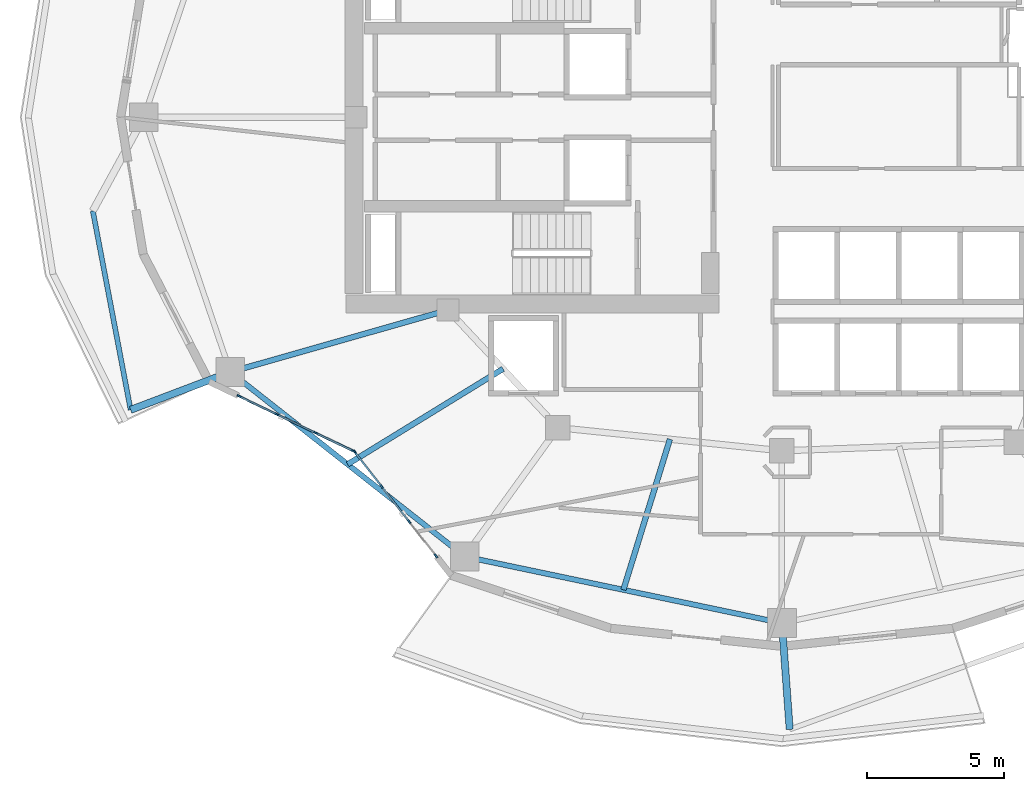
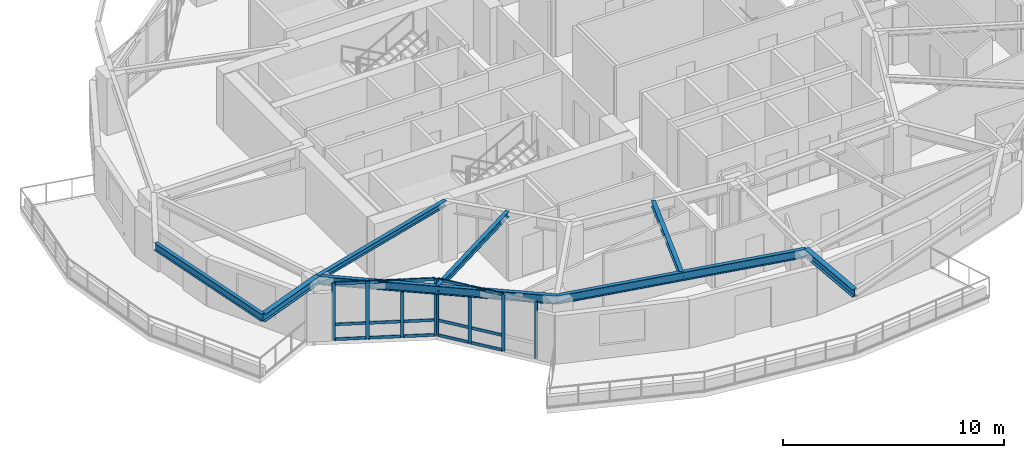
# One storey, part 2 of 18: 23 members, 8 beams, 2 elements without a shape of their own.
"""IFC4 building model written with IfcOpenShell, lengths in metres."""

from ifc_helpers import new_model, si_unit, direction, frame, origin, origin_2d, place, context, subcontext, project, spatial, rectangle, i_section, extrude, material, layer, layer_set, material_profile, profile_set, type_object, element, aggregate, save


model = new_model("IFC4")

# Units and contexts
model_context = context("Model", 3, precision=1e-05, world=origin(), true_north=direction((0.0, 1.0)))
body_context = subcontext(model_context, "Body", "Model", "MODEL_VIEW")
ifc_project = project(units=[si_unit("LENGTHUNIT", "METRE"), si_unit("AREAUNIT", "SQUARE_METRE"), si_unit("VOLUMEUNIT", "CUBIC_METRE"), si_unit("PLANEANGLEUNIT", "RADIAN"), si_unit("MASSUNIT", "GRAM", prefix="KILO")], contexts=[model_context])

# Site, building, storey
site_placement = place(None, origin())
site = spatial("IfcSite", under=ifc_project, at=site_placement, CompositionType="ELEMENT")
building_placement = place(site_placement, origin())
building = spatial("IfcBuilding", under=site, at=building_placement, Name="Kolvaren Gate Tower and Convention Centre", CompositionType="ELEMENT")
storey_placement = place(building_placement, frame((0.0, 0.0, 115.5)))
storey = spatial("IfcBuildingStorey", under=building, at=storey_placement, Name="L28", CompositionType="ELEMENT", Elevation=115.5)

# Curtain wall, members
ifc_material_1 = material(Name="Anodized Architectural Aluminium Alloy 6063-T6", Category="aluminium")
ifc_layer = layer(ifc_material_1, 0.159912109375)
ifc_layer_set = layer_set([ifc_layer], Name="Anodized Architectural Aluminium Alloy 6063-T6")
curtain_wall_type = type_object("IfcCurtainWallType", Name="CW-HTL-UNIT", PredefinedType="NOTDEFINED", material=ifc_layer_set)
curtain_wall_1_placement = place(storey_placement, origin())
curtain_wall_1 = element("IfcCurtainWall", 1, at=curtain_wall_1_placement, inside=storey, type_object=curtain_wall_type, Name="Tower L28 Unitised Curtain Wall CW-HTL-UNIT Bay 14", PredefinedType="NOTDEFINED")
ifc_material_profile_1 = material_profile(ifc_material_1, rectangle(XDim=0.06494140625, YDim=0.159912109375, at=origin_2d()), Name="CW-MEM-MUL-160")
ifc_profile_set_1 = profile_set([ifc_material_profile_1], Name="Anodized Architectural Aluminium Alloy 6063-T6")
member_type_1 = type_object("IfcMemberType", Name="CW-MEM-MUL-160", PredefinedType="MULLION", material=ifc_profile_set_1)
member_1_placement = place(storey_placement, frame((10.271728515625, 16.799560546875, 0.0), z_axis=(0.0, 0.0, 1.0), x_axis=(0.43307254033, 0.901359070966, 0.0)))
member_1 = element("IfcMember", 2, at=member_1_placement, type_object=member_type_1, Name="CW-03 mullion 1", PredefinedType="MULLION", context=body_context, shape_type="SweptSolid", body=[
    extrude(rectangle(XDim=0.06494140625, YDim=0.159912109375, at=origin_2d()), origin(), (0.0, 0.0, 1.0), 3.1298828125),
])
member_2_placement = place(storey_placement, frame((11.655517578125, 16.134765625, 0.0), z_axis=(0.0, 0.0, 1.0), x_axis=(0.43307254033, 0.901359070966, 0.0)))
member_2 = element("IfcMember", 3, at=member_2_placement, type_object=member_type_1, Name="CW-03 mullion 2", PredefinedType="MULLION", context=body_context, shape_type="SweptSolid", body=[
    extrude(rectangle(XDim=0.06494140625, YDim=0.159912109375, at=origin_2d()), origin(), (0.0, 0.0, 1.0), 3.1298828125),
])
member_3_placement = place(storey_placement, frame((13.068359375, 15.455810546875, 0.0), z_axis=(0.0, 0.0, 1.0), x_axis=(0.43307254033, 0.901359070966, 0.0)))
member_3 = element("IfcMember", 4, at=member_3_placement, type_object=member_type_1, Name="CW-03 mullion 3", PredefinedType="MULLION", context=body_context, shape_type="SweptSolid", body=[
    extrude(rectangle(XDim=0.06494140625, YDim=0.159912109375, at=origin_2d()), origin(), (0.0, 0.0, 1.0), 3.1298828125),
])
member_4_placement = place(storey_placement, frame((14.451904296875, 14.791015625, 0.0), z_axis=(0.0, 0.0, 1.0), x_axis=(0.43307254033, 0.901359070966, 0.0)))
member_4 = element("IfcMember", 5, at=member_4_placement, type_object=member_type_1, Name="CW-03 mullion 4", PredefinedType="MULLION", context=body_context, shape_type="SweptSolid", body=[
    extrude(rectangle(XDim=0.06494140625, YDim=0.159912109375, at=origin_2d()), origin(), (0.0, 0.0, 1.0), 3.1298828125),
])

curtain_wall_2_placement = place(storey_placement, origin())
curtain_wall_2 = element("IfcCurtainWall", 6, at=curtain_wall_2_placement, inside=storey, type_object=curtain_wall_type, Name="Tower L28 Unitised Curtain Wall CW-HTL-UNIT Bay 15", PredefinedType="NOTDEFINED")
member_5_placement = place(storey_placement, frame((14.501220703125, 14.75146484375, 0.0), z_axis=(0.0, 0.0, 1.0), x_axis=(0.787410781966, 0.616428633699, 0.0)))
member_5 = element("IfcMember", 7, at=member_5_placement, type_object=member_type_1, Name="CW-03 mullion 1", PredefinedType="MULLION", context=body_context, shape_type="SweptSolid", body=[
    extrude(rectangle(XDim=0.06494140625, YDim=0.159912109375, at=origin_2d()), origin(), (0.0, 0.0, 1.0), 3.1298828125),
])
member_6_placement = place(storey_placement, frame((15.484619140625, 13.495361328125, 0.0), z_axis=(0.0, 0.0, 1.0), x_axis=(0.787410781966, 0.616428633699, 0.0)))
member_6 = element("IfcMember", 8, at=member_6_placement, type_object=member_type_1, Name="CW-03 mullion 2", PredefinedType="MULLION", context=body_context, shape_type="SweptSolid", body=[
    extrude(rectangle(XDim=0.06494140625, YDim=0.159912109375, at=origin_2d()), origin(), (0.0, 0.0, 1.0), 3.1298828125),
])
member_7_placement = place(storey_placement, frame((16.488037109375, 12.213623046875, 0.0), z_axis=(0.0, 0.0, 1.0), x_axis=(0.787410781966, 0.616428633699, 0.0)))
member_7 = element("IfcMember", 9, at=member_7_placement, type_object=member_type_1, Name="CW-03 mullion 3", PredefinedType="MULLION", context=body_context, shape_type="SweptSolid", body=[
    extrude(rectangle(XDim=0.06494140625, YDim=0.159912109375, at=origin_2d()), origin(), (0.0, 0.0, 1.0), 3.1298828125),
])
member_8_placement = place(storey_placement, frame((17.47119140625, 10.957763671875, 0.0), z_axis=(0.0, 0.0, 1.0), x_axis=(0.787410781966, 0.616428633699, 0.0)))
member_8 = element("IfcMember", 10, at=member_8_placement, type_object=member_type_1, Name="CW-03 mullion 4", PredefinedType="MULLION", context=body_context, shape_type="SweptSolid", body=[
    extrude(rectangle(XDim=0.06494140625, YDim=0.159912109375, at=origin_2d()), origin(), (0.0, 0.0, 1.0), 3.1298828125),
])

# Member
ifc_material_profile_2 = material_profile(ifc_material_1, rectangle(XDim=0.06494140625, YDim=0.159912109375, at=origin_2d()), Name="CW-MEM-TRN-160")
ifc_profile_set_2 = profile_set([ifc_material_profile_2], Name="Anodized Architectural Aluminium Alloy 6063-T6")
member_type_2 = type_object("IfcMemberType", Name="CW-MEM-TRN-160", PredefinedType="USERDEFINED", material=ifc_profile_set_2)
member_9_placement = place(storey_placement, frame((10.301025390625, 16.785400390625, 0.032470703125), z_axis=(0.901421966244, -0.432941611274, 0.0), x_axis=(0.432941611274, 0.901421966244, 0.0)))
member_9 = element("IfcMember", 11, at=member_9_placement, type_object=member_type_2, Name="CW-03 transom 1.1", ObjectType="TRANSOM", PredefinedType="USERDEFINED", context=body_context, shape_type="SweptSolid", body=[
    extrude(rectangle(XDim=0.06494140625, YDim=0.159912109375, at=origin_2d()), origin(), (0.0, 0.0, 1.0), 1.47021484375),
])

member_10_placement = place(storey_placement, frame((10.301025390625, 16.785400390625, 0.85009765625), z_axis=(0.901421966244, -0.432941611274, 0.0), x_axis=(0.432941611274, 0.901421966244, 0.0)))
member_10 = element("IfcMember", 12, at=member_10_placement, type_object=member_type_2, Name="CW-03 transom 1.2", ObjectType="TRANSOM", PredefinedType="USERDEFINED", context=body_context, shape_type="SweptSolid", body=[
    extrude(rectangle(XDim=0.06494140625, YDim=0.159912109375, at=origin_2d()), origin(), (0.0, 0.0, 1.0), 1.47021484375),
])

member_11_placement = place(storey_placement, frame((10.301025390625, 16.785400390625, 3.097412109375), z_axis=(0.901421966244, -0.432941611274, 0.0), x_axis=(0.432941611274, 0.901421966244, 0.0)))
member_11 = element("IfcMember", 13, at=member_11_placement, type_object=member_type_2, Name="CW-03 transom 1.3", ObjectType="TRANSOM", PredefinedType="USERDEFINED", context=body_context, shape_type="SweptSolid", body=[
    extrude(rectangle(XDim=0.06494140625, YDim=0.159912109375, at=origin_2d()), origin(), (0.0, 0.0, 1.0), 1.47021484375),
])

member_12_placement = place(storey_placement, frame((11.684814453125, 16.12060546875, 0.032470703125), z_axis=(0.901368321762, -0.43305328601, 0.0), x_axis=(0.43305328601, 0.901368321762, 0.0)))
member_12 = element("IfcMember", 14, at=member_12_placement, type_object=member_type_2, Name="CW-03 transom 2.1", ObjectType="TRANSOM", PredefinedType="USERDEFINED", context=body_context, shape_type="SweptSolid", body=[
    extrude(rectangle(XDim=0.06494140625, YDim=0.159912109375, at=origin_2d()), origin(), (0.0, 0.0, 1.0), 1.50244140625),
])

member_13_placement = place(storey_placement, frame((11.684814453125, 16.12060546875, 0.85009765625), z_axis=(0.901368321762, -0.43305328601, 0.0), x_axis=(0.43305328601, 0.901368321762, 0.0)))
member_13 = element("IfcMember", 15, at=member_13_placement, type_object=member_type_2, Name="CW-03 transom 2.2", ObjectType="TRANSOM", PredefinedType="USERDEFINED", context=body_context, shape_type="SweptSolid", body=[
    extrude(rectangle(XDim=0.06494140625, YDim=0.159912109375, at=origin_2d()), origin(), (0.0, 0.0, 1.0), 1.50244140625),
])

member_14_placement = place(storey_placement, frame((11.684814453125, 16.12060546875, 3.097412109375), z_axis=(0.901368321762, -0.43305328601, 0.0), x_axis=(0.43305328601, 0.901368321762, 0.0)))
member_14 = element("IfcMember", 16, at=member_14_placement, type_object=member_type_2, Name="CW-03 transom 2.3", ObjectType="TRANSOM", PredefinedType="USERDEFINED", context=body_context, shape_type="SweptSolid", body=[
    extrude(rectangle(XDim=0.06494140625, YDim=0.159912109375, at=origin_2d()), origin(), (0.0, 0.0, 1.0), 1.50244140625),
])

member_15_placement = place(storey_placement, frame((13.09765625, 15.44189453125, 0.032470703125), z_axis=(0.901325998393, -0.43314136794, 0.0), x_axis=(0.43314136794, 0.901325998393, 0.0)))
member_15 = element("IfcMember", 17, at=member_15_placement, type_object=member_type_2, Name="CW-03 transom 3.1", ObjectType="TRANSOM", PredefinedType="USERDEFINED", context=body_context, shape_type="SweptSolid", body=[
    extrude(rectangle(XDim=0.06494140625, YDim=0.159912109375, at=origin_2d()), origin(), (0.0, 0.0, 1.0), 1.469970703125),
])

member_16_placement = place(storey_placement, frame((13.09765625, 15.44189453125, 0.85009765625), z_axis=(0.901325998393, -0.43314136794, 0.0), x_axis=(0.43314136794, 0.901325998393, 0.0)))
member_16 = element("IfcMember", 18, at=member_16_placement, type_object=member_type_2, Name="CW-03 transom 3.2", ObjectType="TRANSOM", PredefinedType="USERDEFINED", context=body_context, shape_type="SweptSolid", body=[
    extrude(rectangle(XDim=0.06494140625, YDim=0.159912109375, at=origin_2d()), origin(), (0.0, 0.0, 1.0), 1.469970703125),
])

member_17_placement = place(storey_placement, frame((13.09765625, 15.44189453125, 3.097412109375), z_axis=(0.901325998393, -0.43314136794, 0.0), x_axis=(0.43314136794, 0.901325998393, 0.0)))
member_17 = element("IfcMember", 19, at=member_17_placement, type_object=member_type_2, Name="CW-03 transom 3.3", ObjectType="TRANSOM", PredefinedType="USERDEFINED", context=body_context, shape_type="SweptSolid", body=[
    extrude(rectangle(XDim=0.06494140625, YDim=0.159912109375, at=origin_2d()), origin(), (0.0, 0.0, 1.0), 1.469970703125),
])

aggregate(curtain_wall_1, [member_1, member_2, member_3, member_4, member_9, member_10, member_11, member_12, member_13, member_14, member_15, member_16, member_17])

member_18_placement = place(storey_placement, frame((14.521484375, 14.725830078125, 0.032470703125), z_axis=(0.61639000373, -0.78744102211, 0.0), x_axis=(0.78744102211, 0.61639000373, 0.0)))
member_18 = element("IfcMember", 20, at=member_18_placement, type_object=member_type_2, Name="CW-03 transom 1.1", ObjectType="TRANSOM", PredefinedType="USERDEFINED", context=body_context, shape_type="SweptSolid", body=[
    extrude(rectangle(XDim=0.06494140625, YDim=0.159912109375, at=origin_2d()), origin(), (0.0, 0.0, 1.0), 1.530029296875),
])

member_19_placement = place(storey_placement, frame((14.521484375, 14.725830078125, 0.85009765625), z_axis=(0.61639000373, -0.78744102211, 0.0), x_axis=(0.78744102211, 0.61639000373, 0.0)))
member_19 = element("IfcMember", 21, at=member_19_placement, type_object=member_type_2, Name="CW-03 transom 1.2", ObjectType="TRANSOM", PredefinedType="USERDEFINED", context=body_context, shape_type="SweptSolid", body=[
    extrude(rectangle(XDim=0.06494140625, YDim=0.159912109375, at=origin_2d()), origin(), (0.0, 0.0, 1.0), 1.530029296875),
])

member_20_placement = place(storey_placement, frame((14.521484375, 14.725830078125, 3.097412109375), z_axis=(0.61639000373, -0.78744102211, 0.0), x_axis=(0.78744102211, 0.61639000373, 0.0)))
member_20 = element("IfcMember", 22, at=member_20_placement, type_object=member_type_2, Name="CW-03 transom 1.3", ObjectType="TRANSOM", PredefinedType="USERDEFINED", context=body_context, shape_type="SweptSolid", body=[
    extrude(rectangle(XDim=0.06494140625, YDim=0.159912109375, at=origin_2d()), origin(), (0.0, 0.0, 1.0), 1.530029296875),
])

member_21_placement = place(storey_placement, frame((15.504638671875, 13.4697265625, 0.032470703125), z_axis=(0.616468321189, -0.787379710794, 0.0), x_axis=(0.787379710794, 0.616468321189, 0.0)))
member_21 = element("IfcMember", 23, at=member_21_placement, type_object=member_type_2, Name="CW-03 transom 2.1", ObjectType="TRANSOM", PredefinedType="USERDEFINED", context=body_context, shape_type="SweptSolid", body=[
    extrude(rectangle(XDim=0.06494140625, YDim=0.159912109375, at=origin_2d()), origin(), (0.0, 0.0, 1.0), 1.562744140625),
])

member_22_placement = place(storey_placement, frame((15.504638671875, 13.4697265625, 0.85009765625), z_axis=(0.616468321189, -0.787379710794, 0.0), x_axis=(0.787379710794, 0.616468321189, 0.0)))
member_22 = element("IfcMember", 24, at=member_22_placement, type_object=member_type_2, Name="CW-03 transom 2.2", ObjectType="TRANSOM", PredefinedType="USERDEFINED", context=body_context, shape_type="SweptSolid", body=[
    extrude(rectangle(XDim=0.06494140625, YDim=0.159912109375, at=origin_2d()), origin(), (0.0, 0.0, 1.0), 1.562744140625),
])

member_23_placement = place(storey_placement, frame((15.504638671875, 13.4697265625, 3.097412109375), z_axis=(0.616468321189, -0.787379710794, 0.0), x_axis=(0.787379710794, 0.616468321189, 0.0)))
member_23 = element("IfcMember", 25, at=member_23_placement, type_object=member_type_2, Name="CW-03 transom 2.3", ObjectType="TRANSOM", PredefinedType="USERDEFINED", context=body_context, shape_type="SweptSolid", body=[
    extrude(rectangle(XDim=0.06494140625, YDim=0.159912109375, at=origin_2d()), origin(), (0.0, 0.0, 1.0), 1.562744140625),
])

aggregate(curtain_wall_2, [member_5, member_6, member_7, member_8, member_18, member_19, member_20, member_21, member_22, member_23])

# Beams
ifc_material_2 = material(Name="Structural steel ASTM A992 Grade 345 MPa", Category="steel")
ifc_material_profile_3 = material_profile(ifc_material_2, i_section(OverallWidth=0.260009765625, OverallDepth=0.419921875, WebThickness=0.013427734375, FlangeThickness=0.0224609375, at=origin_2d()), Name="W410X132")
ifc_profile_set_3 = profile_set([ifc_material_profile_3], Name="Structural steel ASTM A992 Grade 345 MPa")
beam_type_1 = type_object("IfcBeamType", Name="STR-BM-W410X132", PredefinedType="BEAM", material=ifc_profile_set_3)
for number, where, z_axis, x_axis, name in (
    (26, (9.94970703125, 17.681396484375, 2.92041015625), (-0.935054778076, -0.354503260912, 0.0), (0.354503260912, -0.935054778076, 0.0), "Tower L29 Planted Balcony Outrigger Cantilever BC-2B"),
    (27, (30.125, 8.5, 2.92041015625), (0.072866291763, -0.997341718532, 0.0), (0.997341718532, 0.072866291763, 0.0), "Tower L29 Planted Balcony Outrigger Cantilever BC-3A"),
):
    element("IfcBeam", number, at=place(storey_placement, frame(where, z_axis=z_axis, x_axis=x_axis)), inside=storey, type_object=beam_type_1, Name=name, PredefinedType="BEAM", context=body_context, shape_type="SweptSolid", body=[
        extrude(i_section(OverallWidth=0.260009765625, OverallDepth=0.419921875, WebThickness=0.013427734375, FlangeThickness=0.0224609375, at=origin_2d()), origin(), (0.0, 0.0, 1.0), 3.89990234375),
    ])
ifc_material_profile_4 = material_profile(ifc_material_2, i_section(OverallWidth=0.205078125, OverallDepth=0.31005859375, WebThickness=0.009521484375, FlangeThickness=0.016357421875, at=origin_2d()), Name="W310X74")
ifc_profile_set_4 = profile_set([ifc_material_profile_4], Name="Structural steel ASTM A992 Grade 345 MPa")
beam_type_2 = type_object("IfcBeamType", Name="STR-JS-W310X74", PredefinedType="JOIST", material=ifc_profile_set_4)
beam_1_placement = place(storey_placement, frame((17.9140625, 19.949951171875, 2.97509765625), z_axis=(-0.961746134311, -0.27394228067, 0.0), x_axis=(0.27394228067, -0.961746134311, 0.0)))
element("IfcBeam", 28, at=beam_1_placement, inside=storey, type_object=beam_type_2, Name="Tower L28 Radial Floor Girder RB-08", PredefinedType="JOIST", context=body_context, shape_type="SweptSolid", body=[
    extrude(i_section(OverallWidth=0.205078125, OverallDepth=0.31005859375, WebThickness=0.009521484375, FlangeThickness=0.016357421875, at=origin_2d()), origin(), (0.0, 0.0, 1.0), 8.28125),
])
beam_2_placement = place(storey_placement, frame((19.923095703125, 17.798828125, 2.97509765625), z_axis=(-0.852013723702, -0.523519450091, 0.0), x_axis=(0.523519450091, -0.852013723702, 0.0)))
element("IfcBeam", 29, at=beam_2_placement, inside=storey, type_object=beam_type_2, Name="Tower L28 Secondary Composite Floor Joist J-08.1", PredefinedType="JOIST", context=body_context, shape_type="SweptSolid", body=[
    extrude(i_section(OverallWidth=0.205078125, OverallDepth=0.31005859375, WebThickness=0.009521484375, FlangeThickness=0.016357421875, at=origin_2d()), origin(), (0.0, 0.0, 1.0), 6.671142578125),
])
beam_3_placement = place(storey_placement, frame((26.028564453125, 15.223876953125, 2.97509765625), z_axis=(-0.295174836894, -0.95544325612, 0.0), x_axis=(0.95544325612, -0.295174836894, 0.0)))
element("IfcBeam", 30, at=beam_3_placement, inside=storey, type_object=beam_type_2, Name="Tower L28 Secondary Composite Floor Joist J-09.1", PredefinedType="JOIST", context=body_context, shape_type="SweptSolid", body=[
    extrude(i_section(OverallWidth=0.205078125, OverallDepth=0.31005859375, WebThickness=0.009521484375, FlangeThickness=0.016357421875, at=origin_2d()), origin(), (0.0, 0.0, 1.0), 5.764892578125),
])
ifc_material_profile_5 = material_profile(ifc_material_2, i_section(OverallWidth=0.180908203125, OverallDepth=0.4169921875, WebThickness=0.010986328125, FlangeThickness=0.018310546875, at=origin_2d()), Name="W410X85")
ifc_profile_set_5 = profile_set([ifc_material_profile_5], Name="Structural steel ASTM A992 Grade 345 MPa")
beam_type_3 = type_object("IfcBeamType", Name="STR-SP-W410X85", PredefinedType="SPANDREL", material=ifc_profile_set_5)
beam_4_placement = place(storey_placement, frame((4.919921875, 23.576171875, 2.922119140625), z_axis=(0.186707724087, -0.982415505663, 0.0), x_axis=(0.982415505663, 0.186707724087, 0.0)))
element("IfcBeam", 31, at=beam_4_placement, inside=storey, type_object=beam_type_3, Name="Tower L29 Planted Balcony Header Tie Beam BT-2", PredefinedType="SPANDREL", context=body_context, shape_type="SweptSolid", body=[
    extrude(i_section(OverallWidth=0.180908203125, OverallDepth=0.4169921875, WebThickness=0.010986328125, FlangeThickness=0.018310546875, at=origin_2d()), origin(), (0.0, 0.0, 1.0), 7.40771484375),
])
ifc_material_profile_6 = material_profile(ifc_material_2, i_section(OverallWidth=0.194091796875, OverallDepth=0.468994140625, WebThickness=0.0126953125, FlangeThickness=0.0205078125, at=origin_2d()), Name="W460X106")
ifc_profile_set_6 = profile_set([ifc_material_profile_6], Name="Structural steel ASTM A992 Grade 345 MPa")
beam_type_4 = type_object("IfcBeamType", Name="STR-SP-W460X106", PredefinedType="SPANDREL", material=ifc_profile_set_6)
beam_5_placement = place(storey_placement, frame((9.94970703125, 17.681396484375, 2.8955078125), z_axis=(0.785907610354, -0.618343939881, 0.0), x_axis=(0.618343939881, 0.785907610354, 0.0)))
element("IfcBeam", 32, at=beam_5_placement, inside=storey, type_object=beam_type_4, Name="Tower L28 Perimeter Spandrel Beam SP-08", PredefinedType="SPANDREL", context=body_context, shape_type="SweptSolid", body=[
    extrude(i_section(OverallWidth=0.194091796875, OverallDepth=0.468994140625, WebThickness=0.0126953125, FlangeThickness=0.0205078125, at=origin_2d()), origin(), (0.0, 0.0, 1.0), 10.915771484375),
])
beam_6_placement = place(storey_placement, frame((18.528564453125, 10.931640625, 2.8955078125), z_axis=(0.978714746947, -0.205225349578, 0.0), x_axis=(0.205225349578, 0.978714746947, 0.0)))
element("IfcBeam", 33, at=beam_6_placement, inside=storey, type_object=beam_type_4, Name="Tower L28 Perimeter Spandrel Beam SP-09", PredefinedType="SPANDREL", context=body_context, shape_type="SweptSolid", body=[
    extrude(i_section(OverallWidth=0.194091796875, OverallDepth=0.468994140625, WebThickness=0.0126953125, FlangeThickness=0.0205078125, at=origin_2d()), origin(), (0.0, 0.0, 1.0), 11.8486328125),
])

save(model, "model.ifc")
